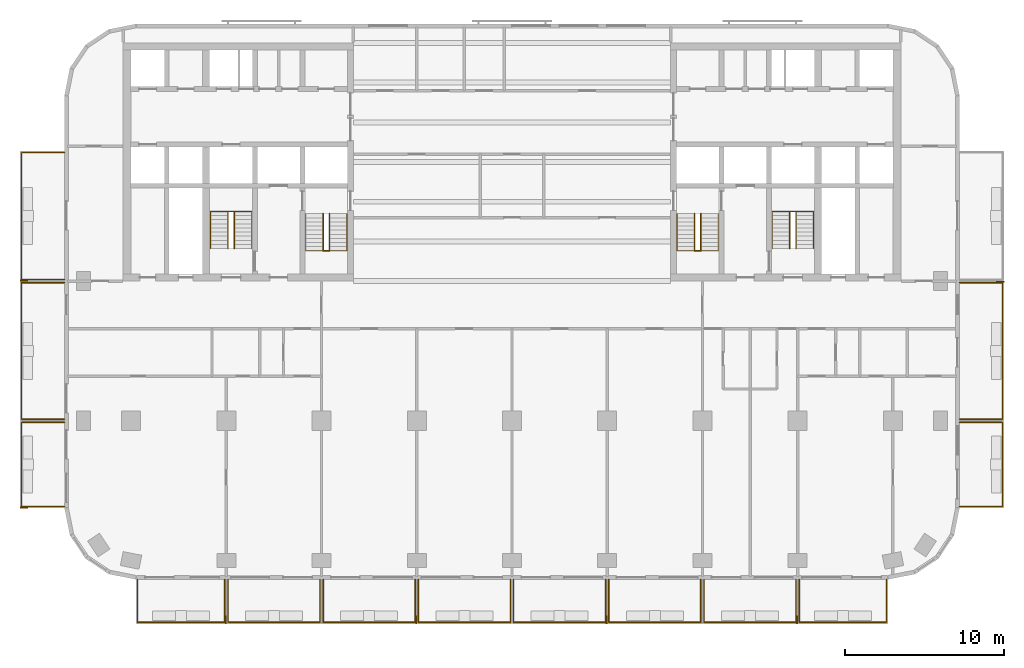
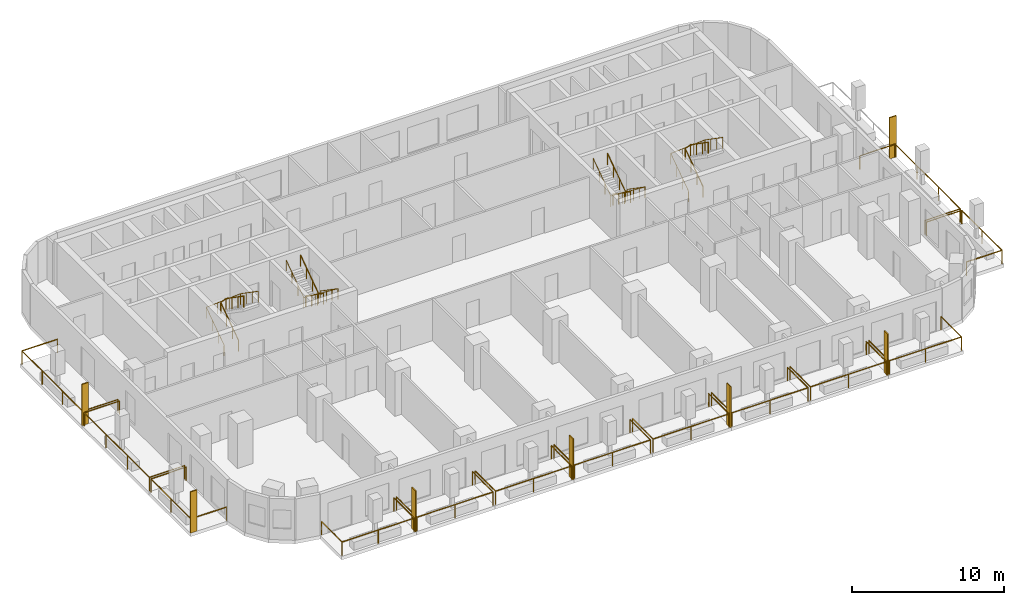
# One storey, part 9 of 11: 21 railings, 7 shading devices.
"""IFC4 building model written with IfcOpenShell, lengths in metres."""

from ifc_helpers import new_model, si_unit, direction, frame, origin, origin_2d, place, context, subcontext, project, spatial, rectangle, circle, extrude, material, layer, layer_set, type_object, element, save


model = new_model("IFC4")

# Units and contexts
model_context = context("Model", 3, precision=1e-05, world=origin(), true_north=direction((0.0, 1.0)))
body_context = subcontext(model_context, "Body", "Model", "MODEL_VIEW")
ifc_project = project(units=[si_unit("LENGTHUNIT", "METRE"), si_unit("AREAUNIT", "SQUARE_METRE"), si_unit("VOLUMEUNIT", "CUBIC_METRE"), si_unit("PLANEANGLEUNIT", "RADIAN"), si_unit("MASSUNIT", "GRAM", prefix="KILO")], contexts=[model_context])

# Site, building, storey
site_placement = place(None, origin())
site = spatial("IfcSite", under=ifc_project, at=site_placement, CompositionType="ELEMENT")
building_placement = place(site_placement, origin())
building = spatial("IfcBuilding", under=site, at=building_placement, Name="Torana Hotel and Residences", CompositionType="ELEMENT")
storey_placement = place(building_placement, frame((0.0, 0.0, 163.199951171875)))
storey = spatial("IfcBuildingStorey", under=building, at=storey_placement, Name="L42", CompositionType="ELEMENT", Elevation=163.199951171875)

# Shading devices
ifc_material_1 = material(Name="Black powder coated aluminium", Category="aluminium")
ifc_layer = layer(ifc_material_1, 0.080078125)
ifc_layer_set = layer_set([ifc_layer], Name="FN1 VERTICAL FIN 500x80")
shading_device_type = type_object("IfcShadingDeviceType", Name="FN1 VERTICAL FIN 500x80", PredefinedType="USERDEFINED", material=ifc_layer_set)
for number, where, z_axis, x_axis, name in (
    (1, (-18.0400390625, -36.35009765625, 0.0), (0.0, 0.0, 1.0), (-1.0, 0.0, 0.0), "Fin 01"),
    (2, (-6.0400390625, -36.35009765625, 0.0), (0.0, 0.0, 1.0), (-1.0, 0.0, 0.0), "Fin 03"),
    (3, (5.9599609375, -36.35009765625, 0.0), (0.0, 0.0, 1.0), (-1.0, 0.0, 0.0), "Fin 05"),
    (4, (17.9599609375, -36.35009765625, 0.0), (0.0, 0.0, 1.0), (-1.0, 0.0, 0.0), "Fin 07"),
    (5, (-30.75, -29.260009765625, 0.0), (0.0, 0.0, 1.0), (0.0, 1.0, 0.0), "Fin 09"),
    (6, (-30.75, -14.9599609375, 0.0), (0.0, 0.0, 1.0), (0.0, 1.0, 0.0), "Fin 11"),
    (7, (30.75, -15.0400390625, 0.0), (0.0, 0.0, 1.0), (0.0, -1.0, 0.0), "Fin 13"),
):
    element("IfcShadingDevice", number, at=place(storey_placement, frame(where, z_axis=z_axis, x_axis=x_axis)), inside=storey, type_object=shading_device_type, Name=name, ObjectType="FIN", PredefinedType="USERDEFINED", context=body_context, shape_type="SweptSolid", body=[
        extrude(rectangle(XDim=0.080078125, YDim=0.5, at=origin_2d()), origin(), (0.0, 0.0, 1.0), 3.320068359375),
    ])

# Railings
ifc_material_2 = material(Name="Laminated glass balustrade with black handrail", Category="glass")
railing_type_1 = type_object("IfcRailingType", Name="GR1 BALCONY GUARD 1100 GLASS", PredefinedType="GUARDRAIL", material=ifc_material_2)
railing_1_placement = place(storey_placement, frame((-18.10009765625, -33.800048828125, 0.0)))
element("IfcRailing", 8, at=railing_1_placement, inside=storey, type_object=railing_type_1, Name="Balcony guard 01", PredefinedType="GUARDRAIL", context=body_context, shape_type="SweptSolid", body=[
    extrude(circle(Radius=0.02392578125, at=origin_2d()), frame((0.0, 0.0, 1.076171875), z_axis=(0.0, -1.0, 0.0), x_axis=(1.0, 0.0, 0.0)), (0.0, 0.0, 1.0), 2.699951171875),
    extrude(circle(Radius=0.02392578125, at=origin_2d()), frame((0.0, -2.699951171875, 1.076171875), z_axis=(-1.0, 0.0, 0.0), x_axis=(0.0, -1.0, 0.0)), (0.0, 0.0, 1.0), 5.5),
    extrude(circle(Radius=0.02392578125, at=origin_2d()), frame((-5.5, -2.699951171875, 1.076171875), z_axis=(0.0, 1.0, 0.0), x_axis=(-1.0, 0.0, 0.0)), (0.0, 0.0, 1.0), 2.699951171875),
    extrude(circle(Radius=0.02099609375, at=origin_2d()), origin(), (0.0, 0.0, 1.0), 1.052001953125),
    extrude(circle(Radius=0.02099609375, at=origin_2d()), frame((0.0, -2.699951171875, 0.0)), (0.0, 0.0, 1.0), 1.052001953125),
    extrude(circle(Radius=0.02099609375, at=origin_2d()), frame((-2.75, -2.699951171875, 0.0)), (0.0, 0.0, 1.0), 1.052001953125),
    extrude(circle(Radius=0.02099609375, at=origin_2d()), frame((-5.5, -2.699951171875, 0.0)), (0.0, 0.0, 1.0), 1.052001953125),
    extrude(circle(Radius=0.02099609375, at=origin_2d()), frame((-5.5, 0.0, 0.0)), (0.0, 0.0, 1.0), 1.052001953125),
])
for number, where, name in (
    (9, (-12.10009765625, -33.800048828125, 0.0), "Balcony guard 02"),
    (10, (-6.10009765625, -33.800048828125, 0.0), "Balcony guard 03"),
    (11, (-0.10009765625, -33.800048828125, 0.0), "Balcony guard 04"),
    (12, (5.89990234375, -33.800048828125, 0.0), "Balcony guard 05"),
    (13, (11.89990234375, -33.800048828125, 0.0), "Balcony guard 06"),
    (14, (17.89990234375, -33.800048828125, 0.0), "Balcony guard 07"),
):
    element("IfcRailing", number, at=place(storey_placement, frame(where)), inside=storey, type_object=railing_type_1, Name=name, PredefinedType="GUARDRAIL", context=body_context, shape_type="SweptSolid", body=[
        extrude(circle(Radius=0.02392578125, at=origin_2d()), frame((0.0, 0.0, 1.076171875), z_axis=(0.0, -1.0, 0.0), x_axis=(1.0, 0.0, 0.0)), (0.0, 0.0, 1.0), 2.699951171875),
        extrude(circle(Radius=0.02392578125, at=origin_2d()), frame((0.0, -2.699951171875, 1.076171875), z_axis=(-1.0, 0.0, 0.0), x_axis=(0.0, -1.0, 0.0)), (0.0, 0.0, 1.0), 5.7998046875),
        extrude(circle(Radius=0.02392578125, at=origin_2d()), frame((-5.7998046875, -2.699951171875, 1.076171875), z_axis=(0.0, 1.0, 0.0), x_axis=(-1.0, 0.0, 0.0)), (0.0, 0.0, 1.0), 2.699951171875),
        extrude(circle(Radius=0.02099609375, at=origin_2d()), origin(), (0.0, 0.0, 1.0), 1.052001953125),
        extrude(circle(Radius=0.02099609375, at=origin_2d()), frame((0.0, -2.699951171875, 0.0)), (0.0, 0.0, 1.0), 1.052001953125),
        extrude(circle(Radius=0.02099609375, at=origin_2d()), frame((-2.89990234375, -2.699951171875, 0.0)), (0.0, 0.0, 1.0), 1.052001953125),
        extrude(circle(Radius=0.02099609375, at=origin_2d()), frame((-5.7998046875, -2.699951171875, 0.0)), (0.0, 0.0, 1.0), 1.052001953125),
        extrude(circle(Radius=0.02099609375, at=origin_2d()), frame((-5.7998046875, 0.0, 0.0)), (0.0, 0.0, 1.0), 1.052001953125),
    ])
railing_2_placement = place(storey_placement, frame((23.60009765625, -33.800048828125, 0.0)))
element("IfcRailing", 15, at=railing_2_placement, inside=storey, type_object=railing_type_1, Name="Balcony guard 08", PredefinedType="GUARDRAIL", context=body_context, shape_type="SweptSolid", body=[
    extrude(circle(Radius=0.02392578125, at=origin_2d()), frame((0.0, 0.0, 1.076171875), z_axis=(0.0, -1.0, 0.0), x_axis=(1.0, 0.0, 0.0)), (0.0, 0.0, 1.0), 2.699951171875),
    extrude(circle(Radius=0.02392578125, at=origin_2d()), frame((0.0, -2.699951171875, 1.076171875), z_axis=(-1.0, 0.0, 0.0), x_axis=(0.0, -1.0, 0.0)), (0.0, 0.0, 1.0), 5.5),
    extrude(circle(Radius=0.02392578125, at=origin_2d()), frame((-5.5, -2.699951171875, 1.076171875), z_axis=(0.0, 1.0, 0.0), x_axis=(-1.0, 0.0, 0.0)), (0.0, 0.0, 1.0), 2.699951171875),
    extrude(circle(Radius=0.02099609375, at=origin_2d()), origin(), (0.0, 0.0, 1.0), 1.052001953125),
    extrude(circle(Radius=0.02099609375, at=origin_2d()), frame((0.0, -2.699951171875, 0.0)), (0.0, 0.0, 1.0), 1.052001953125),
    extrude(circle(Radius=0.02099609375, at=origin_2d()), frame((-2.75, -2.699951171875, 0.0)), (0.0, 0.0, 1.0), 1.052001953125),
    extrude(circle(Radius=0.02099609375, at=origin_2d()), frame((-5.5, -2.699951171875, 0.0)), (0.0, 0.0, 1.0), 1.052001953125),
    extrude(circle(Radius=0.02099609375, at=origin_2d()), frame((-5.5, 0.0, 0.0)), (0.0, 0.0, 1.0), 1.052001953125),
])
railing_3_placement = place(storey_placement, frame((-28.199951171875, -29.199951171875, 0.0)))
element("IfcRailing", 16, at=railing_3_placement, inside=storey, type_object=railing_type_1, Name="Balcony guard 09", PredefinedType="GUARDRAIL", context=body_context, shape_type="SweptSolid", body=[
    extrude(circle(Radius=0.02392578125, at=origin_2d()), frame((0.0, 0.0, 1.076171875), z_axis=(-1.0, 0.0, 0.0), x_axis=(0.0, -1.0, 0.0)), (0.0, 0.0, 1.0), 2.699951171875),
    extrude(circle(Radius=0.02392578125, at=origin_2d()), frame((-2.699951171875, 0.0, 1.076171875), z_axis=(0.0, 1.0, 0.0), x_axis=(-1.0, 0.0, 0.0)), (0.0, 0.0, 1.0), 5.300048828125),
    extrude(circle(Radius=0.02392578125, at=origin_2d()), frame((-2.699951171875, 5.300048828125, 1.076171875), z_axis=(1.0, 0.0, 0.0), x_axis=(0.0, 1.0, 0.0)), (0.0, 0.0, 1.0), 2.699951171875),
    extrude(circle(Radius=0.02099609375, at=origin_2d()), origin(), (0.0, 0.0, 1.0), 1.052001953125),
    extrude(circle(Radius=0.02099609375, at=origin_2d()), frame((-2.699951171875, 0.0, 0.0)), (0.0, 0.0, 1.0), 1.052001953125),
    extrude(circle(Radius=0.02099609375, at=origin_2d()), frame((-2.699951171875, 2.64990234375, 0.0)), (0.0, 0.0, 1.0), 1.052001953125),
    extrude(circle(Radius=0.02099609375, at=origin_2d()), frame((-2.699951171875, 5.300048828125, 0.0)), (0.0, 0.0, 1.0), 1.052001953125),
    extrude(circle(Radius=0.02099609375, at=origin_2d()), frame((0.0, 5.300048828125, 0.0)), (0.0, 0.0, 1.0), 1.052001953125),
])
railing_4_placement = place(storey_placement, frame((-28.199951171875, -23.699951171875, 0.0)))
element("IfcRailing", 17, at=railing_4_placement, inside=storey, type_object=railing_type_1, Name="Balcony guard 10", PredefinedType="GUARDRAIL", context=body_context, shape_type="SweptSolid", body=[
    extrude(circle(Radius=0.02392578125, at=origin_2d()), frame((0.0, 0.0, 1.076171875), z_axis=(-1.0, 0.0, 0.0), x_axis=(0.0, -1.0, 0.0)), (0.0, 0.0, 1.0), 2.699951171875),
    extrude(circle(Radius=0.02392578125, at=origin_2d()), frame((-2.699951171875, 0.0, 1.076171875), z_axis=(0.0, 1.0, 0.0), x_axis=(-1.0, 0.0, 0.0)), (0.0, 0.0, 1.0), 8.599853515625),
    extrude(circle(Radius=0.02392578125, at=origin_2d()), frame((-2.699951171875, 8.599853515625, 1.076171875), z_axis=(1.0, 0.0, 0.0), x_axis=(0.0, 1.0, 0.0)), (0.0, 0.0, 1.0), 2.699951171875),
    extrude(circle(Radius=0.02099609375, at=origin_2d()), origin(), (0.0, 0.0, 1.0), 1.052001953125),
    extrude(circle(Radius=0.02099609375, at=origin_2d()), frame((-2.699951171875, 0.0, 0.0)), (0.0, 0.0, 1.0), 1.052001953125),
    extrude(circle(Radius=0.02099609375, at=origin_2d()), frame((-2.699951171875, 2.86669921875, 0.0)), (0.0, 0.0, 1.0), 1.052001953125),
    extrude(circle(Radius=0.02099609375, at=origin_2d()), frame((-2.699951171875, 5.733154296875, 0.0)), (0.0, 0.0, 1.0), 1.052001953125),
    extrude(circle(Radius=0.02099609375, at=origin_2d()), frame((-2.699951171875, 8.599853515625, 0.0)), (0.0, 0.0, 1.0), 1.052001953125),
    extrude(circle(Radius=0.02099609375, at=origin_2d()), frame((0.0, 8.599853515625, 0.0)), (0.0, 0.0, 1.0), 1.052001953125),
])
railing_5_placement = place(storey_placement, frame((-28.199951171875, -14.89990234375, 0.0)))
element("IfcRailing", 18, at=railing_5_placement, inside=storey, type_object=railing_type_1, Name="Balcony guard 11", PredefinedType="GUARDRAIL", context=body_context, shape_type="SweptSolid", body=[
    extrude(circle(Radius=0.02392578125, at=origin_2d()), frame((0.0, 0.0, 1.076171875), z_axis=(-1.0, 0.0, 0.0), x_axis=(0.0, -1.0, 0.0)), (0.0, 0.0, 1.0), 2.699951171875),
    extrude(circle(Radius=0.02392578125, at=origin_2d()), frame((-2.699951171875, 0.0, 1.076171875), z_axis=(0.0, 1.0, 0.0), x_axis=(-1.0, 0.0, 0.0)), (0.0, 0.0, 1.0), 8.0),
    extrude(circle(Radius=0.02392578125, at=origin_2d()), frame((-2.699951171875, 8.0, 1.076171875), z_axis=(1.0, 0.0, 0.0), x_axis=(0.0, 1.0, 0.0)), (0.0, 0.0, 1.0), 2.699951171875),
    extrude(circle(Radius=0.02099609375, at=origin_2d()), origin(), (0.0, 0.0, 1.0), 1.052001953125),
    extrude(circle(Radius=0.02099609375, at=origin_2d()), frame((-2.699951171875, 0.0, 0.0)), (0.0, 0.0, 1.0), 1.052001953125),
    extrude(circle(Radius=0.02099609375, at=origin_2d()), frame((-2.699951171875, 2.666748046875, 0.0)), (0.0, 0.0, 1.0), 1.052001953125),
    extrude(circle(Radius=0.02099609375, at=origin_2d()), frame((-2.699951171875, 5.333251953125, 0.0)), (0.0, 0.0, 1.0), 1.052001953125),
    extrude(circle(Radius=0.02099609375, at=origin_2d()), frame((-2.699951171875, 8.0, 0.0)), (0.0, 0.0, 1.0), 1.052001953125),
    extrude(circle(Radius=0.02099609375, at=origin_2d()), frame((0.0, 8.0, 0.0)), (0.0, 0.0, 1.0), 1.052001953125),
])
railing_6_placement = place(storey_placement, frame((28.199951171875, -23.89990234375, 0.0)))
element("IfcRailing", 19, at=railing_6_placement, inside=storey, type_object=railing_type_1, Name="Balcony guard 12", PredefinedType="GUARDRAIL", context=body_context, shape_type="SweptSolid", body=[
    extrude(circle(Radius=0.02392578125, at=origin_2d()), frame((0.0, 0.0, 1.076171875), z_axis=(1.0, 0.0, 0.0), x_axis=(0.0, 1.0, 0.0)), (0.0, 0.0, 1.0), 2.699951171875),
    extrude(circle(Radius=0.02392578125, at=origin_2d()), frame((2.699951171875, 0.0, 1.076171875), z_axis=(0.0, -1.0, 0.0), x_axis=(1.0, 0.0, 0.0)), (0.0, 0.0, 1.0), 5.300048828125),
    extrude(circle(Radius=0.02392578125, at=origin_2d()), frame((2.699951171875, -5.300048828125, 1.076171875), z_axis=(-1.0, 0.0, 0.0), x_axis=(0.0, -1.0, 0.0)), (0.0, 0.0, 1.0), 2.699951171875),
    extrude(circle(Radius=0.02099609375, at=origin_2d()), origin(), (0.0, 0.0, 1.0), 1.052001953125),
    extrude(circle(Radius=0.02099609375, at=origin_2d()), frame((2.699951171875, 0.0, 0.0)), (0.0, 0.0, 1.0), 1.052001953125),
    extrude(circle(Radius=0.02099609375, at=origin_2d()), frame((2.699951171875, -2.64990234375, 0.0)), (0.0, 0.0, 1.0), 1.052001953125),
    extrude(circle(Radius=0.02099609375, at=origin_2d()), frame((2.699951171875, -5.300048828125, 0.0)), (0.0, 0.0, 1.0), 1.052001953125),
    extrude(circle(Radius=0.02099609375, at=origin_2d()), frame((0.0, -5.300048828125, 0.0)), (0.0, 0.0, 1.0), 1.052001953125),
])
railing_7_placement = place(storey_placement, frame((28.199951171875, -15.10009765625, 0.0)))
element("IfcRailing", 20, at=railing_7_placement, inside=storey, type_object=railing_type_1, Name="Balcony guard 13", PredefinedType="GUARDRAIL", context=body_context, shape_type="SweptSolid", body=[
    extrude(circle(Radius=0.02392578125, at=origin_2d()), frame((0.0, 0.0, 1.076171875), z_axis=(1.0, 0.0, 0.0), x_axis=(0.0, 1.0, 0.0)), (0.0, 0.0, 1.0), 2.699951171875),
    extrude(circle(Radius=0.02392578125, at=origin_2d()), frame((2.699951171875, 0.0, 1.076171875), z_axis=(0.0, -1.0, 0.0), x_axis=(1.0, 0.0, 0.0)), (0.0, 0.0, 1.0), 8.599853515625),
    extrude(circle(Radius=0.02392578125, at=origin_2d()), frame((2.699951171875, -8.599853515625, 1.076171875), z_axis=(-1.0, 0.0, 0.0), x_axis=(0.0, -1.0, 0.0)), (0.0, 0.0, 1.0), 2.699951171875),
    extrude(circle(Radius=0.02099609375, at=origin_2d()), origin(), (0.0, 0.0, 1.0), 1.052001953125),
    extrude(circle(Radius=0.02099609375, at=origin_2d()), frame((2.699951171875, 0.0, 0.0)), (0.0, 0.0, 1.0), 1.052001953125),
    extrude(circle(Radius=0.02099609375, at=origin_2d()), frame((2.699951171875, -2.86669921875, 0.0)), (0.0, 0.0, 1.0), 1.052001953125),
    extrude(circle(Radius=0.02099609375, at=origin_2d()), frame((2.699951171875, -5.733154296875, 0.0)), (0.0, 0.0, 1.0), 1.052001953125),
    extrude(circle(Radius=0.02099609375, at=origin_2d()), frame((2.699951171875, -8.599853515625, 0.0)), (0.0, 0.0, 1.0), 1.052001953125),
    extrude(circle(Radius=0.02099609375, at=origin_2d()), frame((0.0, -8.599853515625, 0.0)), (0.0, 0.0, 1.0), 1.052001953125),
])
ifc_material_3 = material(Name="Stainless steel 316", Category="steel")
railing_type_2 = type_object("IfcRailingType", Name="STAIR HANDRAIL HR1 900", PredefinedType="HANDRAIL", material=ifc_material_3)
railing_8_placement = place(storey_placement, frame((-10.39990234375, -10.75, 0.179931640625)))
element("IfcRailing", 21, at=railing_8_placement, inside=storey, type_object=railing_type_2, Name="Handrail ST1 L42 O1", PredefinedType="HANDRAIL", context=body_context, shape_type="SweptSolid", body=[
    extrude(circle(Radius=0.02392578125, at=origin_2d()), frame((0.0, 0.0, 0.8759765625), z_axis=(0.0, -0.822182927502, 0.569223360136), x_axis=(1.0, 0.0, 0.0)), (0.0, 0.0, 1.0), 2.84619140625),
    extrude(circle(Radius=0.02392578125, at=origin_2d()), frame((0.0, -2.340087890625, 2.49609375), z_axis=(-0.997614115953, 0.0, 0.069036770278), x_axis=(0.0, -1.0, 0.0)), (0.0, 0.0, 1.0), 2.606201171875),
    extrude(circle(Radius=0.02392578125, at=origin_2d()), frame((-2.60009765625, -2.340087890625, 2.67578125), z_axis=(0.0, 0.822182927502, 0.569223360136), x_axis=(-1.0, 0.0, 0.0)), (0.0, 0.0, 1.0), 2.84619140625),
    extrude(circle(Radius=0.02099609375, at=origin_2d()), origin(), (0.0, 0.0, 1.0), 0.851806640625),
    extrude(circle(Radius=0.02099609375, at=origin_2d()), frame((0.0, -0.780029296875, 0.5400390625)), (0.0, 0.0, 1.0), 0.851806640625),
    extrude(circle(Radius=0.02099609375, at=origin_2d()), frame((0.0, -1.56005859375, 1.080078125)), (0.0, 0.0, 1.0), 0.851806640625),
    extrude(circle(Radius=0.02099609375, at=origin_2d()), frame((0.0, -2.340087890625, 1.6201171875)), (0.0, 0.0, 1.0), 0.851806640625),
    extrude(circle(Radius=0.02099609375, at=origin_2d()), frame((-0.86669921875, -2.340087890625, 1.68017578125)), (0.0, 0.0, 1.0), 0.851806640625),
    extrude(circle(Radius=0.02099609375, at=origin_2d()), frame((-1.7333984375, -2.340087890625, 1.739990234375)), (0.0, 0.0, 1.0), 0.851806640625),
    extrude(circle(Radius=0.02099609375, at=origin_2d()), frame((-2.60009765625, -2.340087890625, 1.800048828125)), (0.0, 0.0, 1.0), 0.851806640625),
    extrude(circle(Radius=0.02099609375, at=origin_2d()), frame((-2.60009765625, -1.56005859375, 2.340087890625)), (0.0, 0.0, 1.0), 0.851806640625),
    extrude(circle(Radius=0.02099609375, at=origin_2d()), frame((-2.60009765625, -0.780029296875, 2.880126953125)), (0.0, 0.0, 1.0), 0.851806640625),
    extrude(circle(Radius=0.02099609375, at=origin_2d()), frame((-2.60009765625, 0.0, 3.420166015625)), (0.0, 0.0, 1.0), 0.851806640625),
])
railing_9_placement = place(storey_placement, frame((-11.5, -10.75, 0.179931640625)))
element("IfcRailing", 22, at=railing_9_placement, inside=storey, type_object=railing_type_2, Name="Handrail ST1 L42 I1", PredefinedType="HANDRAIL", context=body_context, shape_type="SweptSolid", body=[
    extrude(circle(Radius=0.02392578125, at=origin_2d()), frame((0.0, 0.0, 0.8759765625), z_axis=(0.0, -0.822182927502, 0.569223360136), x_axis=(1.0, 0.0, 0.0)), (0.0, 0.0, 1.0), 2.84619140625),
    extrude(circle(Radius=0.02392578125, at=origin_2d()), frame((0.0, -2.340087890625, 2.49609375), z_axis=(-0.911942338396, 0.0, 0.410318378143), x_axis=(0.0, -1.0, 0.0)), (0.0, 0.0, 1.0), 0.4384765625),
    extrude(circle(Radius=0.02392578125, at=origin_2d()), frame((-0.39990234375, -2.340087890625, 2.67578125), z_axis=(0.0, 0.822182927502, 0.569223360136), x_axis=(-1.0, 0.0, 0.0)), (0.0, 0.0, 1.0), 2.84619140625),
    extrude(circle(Radius=0.02099609375, at=origin_2d()), origin(), (0.0, 0.0, 1.0), 0.851806640625),
    extrude(circle(Radius=0.02099609375, at=origin_2d()), frame((0.0, -0.780029296875, 0.5400390625)), (0.0, 0.0, 1.0), 0.851806640625),
    extrude(circle(Radius=0.02099609375, at=origin_2d()), frame((0.0, -1.56005859375, 1.080078125)), (0.0, 0.0, 1.0), 0.851806640625),
    extrude(circle(Radius=0.02099609375, at=origin_2d()), frame((0.0, -2.340087890625, 1.6201171875)), (0.0, 0.0, 1.0), 0.851806640625),
    extrude(circle(Radius=0.02099609375, at=origin_2d()), frame((-0.39990234375, -2.340087890625, 1.800048828125)), (0.0, 0.0, 1.0), 0.851806640625),
    extrude(circle(Radius=0.02099609375, at=origin_2d()), frame((-0.39990234375, -1.56005859375, 2.340087890625)), (0.0, 0.0, 1.0), 0.851806640625),
    extrude(circle(Radius=0.02099609375, at=origin_2d()), frame((-0.39990234375, -0.780029296875, 2.880126953125)), (0.0, 0.0, 1.0), 0.851806640625),
    extrude(circle(Radius=0.02099609375, at=origin_2d()), frame((-0.39990234375, 0.0, 3.420166015625)), (0.0, 0.0, 1.0), 0.851806640625),
])
railing_10_placement = place(storey_placement, frame((-19.0, -12.949951171875, 0.179931640625)))
element("IfcRailing", 23, at=railing_10_placement, inside=storey, type_object=railing_type_2, Name="Handrail ST2 L42 O1", PredefinedType="HANDRAIL", context=body_context, shape_type="SweptSolid", body=[
    extrude(circle(Radius=0.02392578125, at=origin_2d()), frame((0.0, 0.0, 0.8759765625), z_axis=(0.0, 0.822155131156, 0.569263506923), x_axis=(-1.0, 0.0, 0.0)), (0.0, 0.0, 1.0), 2.845947265625),
    extrude(circle(Radius=0.02392578125, at=origin_2d()), frame((0.0, 2.33984375, 2.49609375), z_axis=(0.997614115953, 0.0, 0.069036770278), x_axis=(0.0, 1.0, 0.0)), (0.0, 0.0, 1.0), 2.606201171875),
    extrude(circle(Radius=0.02392578125, at=origin_2d()), frame((2.60009765625, 2.33984375, 2.67578125), z_axis=(0.0, -0.822155131156, 0.569263506923), x_axis=(1.0, 0.0, 0.0)), (0.0, 0.0, 1.0), 2.845947265625),
    extrude(circle(Radius=0.02099609375, at=origin_2d()), origin(), (0.0, 0.0, 1.0), 0.851806640625),
    extrude(circle(Radius=0.02099609375, at=origin_2d()), frame((0.0, 0.780029296875, 0.5400390625)), (0.0, 0.0, 1.0), 0.851806640625),
    extrude(circle(Radius=0.02099609375, at=origin_2d()), frame((0.0, 1.559814453125, 1.080078125)), (0.0, 0.0, 1.0), 0.851806640625),
    extrude(circle(Radius=0.02099609375, at=origin_2d()), frame((0.0, 2.33984375, 1.6201171875)), (0.0, 0.0, 1.0), 0.851806640625),
    extrude(circle(Radius=0.02099609375, at=origin_2d()), frame((0.86669921875, 2.33984375, 1.68017578125)), (0.0, 0.0, 1.0), 0.851806640625),
    extrude(circle(Radius=0.02099609375, at=origin_2d()), frame((1.7333984375, 2.33984375, 1.739990234375)), (0.0, 0.0, 1.0), 0.851806640625),
    extrude(circle(Radius=0.02099609375, at=origin_2d()), frame((2.60009765625, 2.33984375, 1.800048828125)), (0.0, 0.0, 1.0), 0.851806640625),
    extrude(circle(Radius=0.02099609375, at=origin_2d()), frame((2.60009765625, 1.559814453125, 2.340087890625)), (0.0, 0.0, 1.0), 0.851806640625),
    extrude(circle(Radius=0.02099609375, at=origin_2d()), frame((2.60009765625, 0.780029296875, 2.880126953125)), (0.0, 0.0, 1.0), 0.851806640625),
    extrude(circle(Radius=0.02099609375, at=origin_2d()), frame((2.60009765625, 0.0, 3.420166015625)), (0.0, 0.0, 1.0), 0.851806640625),
])
railing_11_placement = place(storey_placement, frame((-17.89990234375, -12.949951171875, 0.179931640625)))
element("IfcRailing", 24, at=railing_11_placement, inside=storey, type_object=railing_type_2, Name="Handrail ST2 L42 I1", PredefinedType="HANDRAIL", context=body_context, shape_type="SweptSolid", body=[
    extrude(circle(Radius=0.02392578125, at=origin_2d()), frame((0.0, 0.0, 0.8759765625), z_axis=(0.0, 0.822155131156, 0.569263506923), x_axis=(-1.0, 0.0, 0.0)), (0.0, 0.0, 1.0), 2.845947265625),
    extrude(circle(Radius=0.02392578125, at=origin_2d()), frame((0.0, 2.33984375, 2.49609375), z_axis=(0.911942338396, 0.0, 0.410318378143), x_axis=(0.0, 1.0, 0.0)), (0.0, 0.0, 1.0), 0.4384765625),
    extrude(circle(Radius=0.02392578125, at=origin_2d()), frame((0.39990234375, 2.33984375, 2.67578125), z_axis=(0.0, -0.822155131156, 0.569263506923), x_axis=(1.0, 0.0, 0.0)), (0.0, 0.0, 1.0), 2.845947265625),
    extrude(circle(Radius=0.02099609375, at=origin_2d()), origin(), (0.0, 0.0, 1.0), 0.851806640625),
    extrude(circle(Radius=0.02099609375, at=origin_2d()), frame((0.0, 0.780029296875, 0.5400390625)), (0.0, 0.0, 1.0), 0.851806640625),
    extrude(circle(Radius=0.02099609375, at=origin_2d()), frame((0.0, 1.559814453125, 1.080078125)), (0.0, 0.0, 1.0), 0.851806640625),
    extrude(circle(Radius=0.02099609375, at=origin_2d()), frame((0.0, 2.33984375, 1.6201171875)), (0.0, 0.0, 1.0), 0.851806640625),
    extrude(circle(Radius=0.02099609375, at=origin_2d()), frame((0.39990234375, 2.33984375, 1.800048828125)), (0.0, 0.0, 1.0), 0.851806640625),
    extrude(circle(Radius=0.02099609375, at=origin_2d()), frame((0.39990234375, 1.559814453125, 2.340087890625)), (0.0, 0.0, 1.0), 0.851806640625),
    extrude(circle(Radius=0.02099609375, at=origin_2d()), frame((0.39990234375, 0.780029296875, 2.880126953125)), (0.0, 0.0, 1.0), 0.851806640625),
    extrude(circle(Radius=0.02099609375, at=origin_2d()), frame((0.39990234375, 0.0, 3.420166015625)), (0.0, 0.0, 1.0), 0.851806640625),
])
railing_12_placement = place(storey_placement, frame((13.0, -10.75, 0.179931640625)))
element("IfcRailing", 25, at=railing_12_placement, inside=storey, type_object=railing_type_2, Name="Handrail ST3 L42 O1", PredefinedType="HANDRAIL", context=body_context, shape_type="SweptSolid", body=[
    extrude(circle(Radius=0.02392578125, at=origin_2d()), frame((0.0, 0.0, 0.8759765625), z_axis=(0.0, -0.822182927502, 0.569223360136), x_axis=(1.0, 0.0, 0.0)), (0.0, 0.0, 1.0), 2.84619140625),
    extrude(circle(Radius=0.02392578125, at=origin_2d()), frame((0.0, -2.340087890625, 2.49609375), z_axis=(-0.997614115953, 0.0, 0.069036770278), x_axis=(0.0, -1.0, 0.0)), (0.0, 0.0, 1.0), 2.606201171875),
    extrude(circle(Radius=0.02392578125, at=origin_2d()), frame((-2.60009765625, -2.340087890625, 2.67578125), z_axis=(0.0, 0.822182927502, 0.569223360136), x_axis=(-1.0, 0.0, 0.0)), (0.0, 0.0, 1.0), 2.84619140625),
    extrude(circle(Radius=0.02099609375, at=origin_2d()), origin(), (0.0, 0.0, 1.0), 0.851806640625),
    extrude(circle(Radius=0.02099609375, at=origin_2d()), frame((0.0, -0.780029296875, 0.5400390625)), (0.0, 0.0, 1.0), 0.851806640625),
    extrude(circle(Radius=0.02099609375, at=origin_2d()), frame((0.0, -1.56005859375, 1.080078125)), (0.0, 0.0, 1.0), 0.851806640625),
    extrude(circle(Radius=0.02099609375, at=origin_2d()), frame((0.0, -2.340087890625, 1.6201171875)), (0.0, 0.0, 1.0), 0.851806640625),
    extrude(circle(Radius=0.02099609375, at=origin_2d()), frame((-0.86669921875, -2.340087890625, 1.68017578125)), (0.0, 0.0, 1.0), 0.851806640625),
    extrude(circle(Radius=0.02099609375, at=origin_2d()), frame((-1.7333984375, -2.340087890625, 1.739990234375)), (0.0, 0.0, 1.0), 0.851806640625),
    extrude(circle(Radius=0.02099609375, at=origin_2d()), frame((-2.60009765625, -2.340087890625, 1.800048828125)), (0.0, 0.0, 1.0), 0.851806640625),
    extrude(circle(Radius=0.02099609375, at=origin_2d()), frame((-2.60009765625, -1.56005859375, 2.340087890625)), (0.0, 0.0, 1.0), 0.851806640625),
    extrude(circle(Radius=0.02099609375, at=origin_2d()), frame((-2.60009765625, -0.780029296875, 2.880126953125)), (0.0, 0.0, 1.0), 0.851806640625),
    extrude(circle(Radius=0.02099609375, at=origin_2d()), frame((-2.60009765625, 0.0, 3.420166015625)), (0.0, 0.0, 1.0), 0.851806640625),
])
railing_13_placement = place(storey_placement, frame((11.89990234375, -10.75, 0.179931640625)))
element("IfcRailing", 26, at=railing_13_placement, inside=storey, type_object=railing_type_2, Name="Handrail ST3 L42 I1", PredefinedType="HANDRAIL", context=body_context, shape_type="SweptSolid", body=[
    extrude(circle(Radius=0.02392578125, at=origin_2d()), frame((0.0, 0.0, 0.8759765625), z_axis=(0.0, -0.822182927502, 0.569223360136), x_axis=(1.0, 0.0, 0.0)), (0.0, 0.0, 1.0), 2.84619140625),
    extrude(circle(Radius=0.02392578125, at=origin_2d()), frame((0.0, -2.340087890625, 2.49609375), z_axis=(-0.911942338396, 0.0, 0.410318378143), x_axis=(0.0, -1.0, 0.0)), (0.0, 0.0, 1.0), 0.4384765625),
    extrude(circle(Radius=0.02392578125, at=origin_2d()), frame((-0.39990234375, -2.340087890625, 2.67578125), z_axis=(0.0, 0.822182927502, 0.569223360136), x_axis=(-1.0, 0.0, 0.0)), (0.0, 0.0, 1.0), 2.84619140625),
    extrude(circle(Radius=0.02099609375, at=origin_2d()), origin(), (0.0, 0.0, 1.0), 0.851806640625),
    extrude(circle(Radius=0.02099609375, at=origin_2d()), frame((0.0, -0.780029296875, 0.5400390625)), (0.0, 0.0, 1.0), 0.851806640625),
    extrude(circle(Radius=0.02099609375, at=origin_2d()), frame((0.0, -1.56005859375, 1.080078125)), (0.0, 0.0, 1.0), 0.851806640625),
    extrude(circle(Radius=0.02099609375, at=origin_2d()), frame((0.0, -2.340087890625, 1.6201171875)), (0.0, 0.0, 1.0), 0.851806640625),
    extrude(circle(Radius=0.02099609375, at=origin_2d()), frame((-0.39990234375, -2.340087890625, 1.800048828125)), (0.0, 0.0, 1.0), 0.851806640625),
    extrude(circle(Radius=0.02099609375, at=origin_2d()), frame((-0.39990234375, -1.56005859375, 2.340087890625)), (0.0, 0.0, 1.0), 0.851806640625),
    extrude(circle(Radius=0.02099609375, at=origin_2d()), frame((-0.39990234375, -0.780029296875, 2.880126953125)), (0.0, 0.0, 1.0), 0.851806640625),
    extrude(circle(Radius=0.02099609375, at=origin_2d()), frame((-0.39990234375, 0.0, 3.420166015625)), (0.0, 0.0, 1.0), 0.851806640625),
])
railing_14_placement = place(storey_placement, frame((16.39990234375, -12.949951171875, 0.179931640625)))
element("IfcRailing", 27, at=railing_14_placement, inside=storey, type_object=railing_type_2, Name="Handrail ST4 L42 O1", PredefinedType="HANDRAIL", context=body_context, shape_type="SweptSolid", body=[
    extrude(circle(Radius=0.02392578125, at=origin_2d()), frame((0.0, 0.0, 0.8759765625), z_axis=(0.0, 0.822155131156, 0.569263506923), x_axis=(-1.0, 0.0, 0.0)), (0.0, 0.0, 1.0), 2.845947265625),
    extrude(circle(Radius=0.02392578125, at=origin_2d()), frame((0.0, 2.33984375, 2.49609375), z_axis=(0.997614115953, 0.0, 0.069036770278), x_axis=(0.0, 1.0, 0.0)), (0.0, 0.0, 1.0), 2.606201171875),
    extrude(circle(Radius=0.02392578125, at=origin_2d()), frame((2.60009765625, 2.33984375, 2.67578125), z_axis=(0.0, -0.822155131156, 0.569263506923), x_axis=(1.0, 0.0, 0.0)), (0.0, 0.0, 1.0), 2.845947265625),
    extrude(circle(Radius=0.02099609375, at=origin_2d()), origin(), (0.0, 0.0, 1.0), 0.851806640625),
    extrude(circle(Radius=0.02099609375, at=origin_2d()), frame((0.0, 0.780029296875, 0.5400390625)), (0.0, 0.0, 1.0), 0.851806640625),
    extrude(circle(Radius=0.02099609375, at=origin_2d()), frame((0.0, 1.559814453125, 1.080078125)), (0.0, 0.0, 1.0), 0.851806640625),
    extrude(circle(Radius=0.02099609375, at=origin_2d()), frame((0.0, 2.33984375, 1.6201171875)), (0.0, 0.0, 1.0), 0.851806640625),
    extrude(circle(Radius=0.02099609375, at=origin_2d()), frame((0.86669921875, 2.33984375, 1.68017578125)), (0.0, 0.0, 1.0), 0.851806640625),
    extrude(circle(Radius=0.02099609375, at=origin_2d()), frame((1.7333984375, 2.33984375, 1.739990234375)), (0.0, 0.0, 1.0), 0.851806640625),
    extrude(circle(Radius=0.02099609375, at=origin_2d()), frame((2.60009765625, 2.33984375, 1.800048828125)), (0.0, 0.0, 1.0), 0.851806640625),
    extrude(circle(Radius=0.02099609375, at=origin_2d()), frame((2.60009765625, 1.559814453125, 2.340087890625)), (0.0, 0.0, 1.0), 0.851806640625),
    extrude(circle(Radius=0.02099609375, at=origin_2d()), frame((2.60009765625, 0.780029296875, 2.880126953125)), (0.0, 0.0, 1.0), 0.851806640625),
    extrude(circle(Radius=0.02099609375, at=origin_2d()), frame((2.60009765625, 0.0, 3.420166015625)), (0.0, 0.0, 1.0), 0.851806640625),
])
railing_15_placement = place(storey_placement, frame((17.5, -12.949951171875, 0.179931640625)))
element("IfcRailing", 28, at=railing_15_placement, inside=storey, type_object=railing_type_2, Name="Handrail ST4 L42 I1", PredefinedType="HANDRAIL", context=body_context, shape_type="SweptSolid", body=[
    extrude(circle(Radius=0.02392578125, at=origin_2d()), frame((0.0, 0.0, 0.8759765625), z_axis=(0.0, 0.822155131156, 0.569263506923), x_axis=(-1.0, 0.0, 0.0)), (0.0, 0.0, 1.0), 2.845947265625),
    extrude(circle(Radius=0.02392578125, at=origin_2d()), frame((0.0, 2.33984375, 2.49609375), z_axis=(0.911942338396, 0.0, 0.410318378143), x_axis=(0.0, 1.0, 0.0)), (0.0, 0.0, 1.0), 0.4384765625),
    extrude(circle(Radius=0.02392578125, at=origin_2d()), frame((0.39990234375, 2.33984375, 2.67578125), z_axis=(0.0, -0.822155131156, 0.569263506923), x_axis=(1.0, 0.0, 0.0)), (0.0, 0.0, 1.0), 2.845947265625),
    extrude(circle(Radius=0.02099609375, at=origin_2d()), origin(), (0.0, 0.0, 1.0), 0.851806640625),
    extrude(circle(Radius=0.02099609375, at=origin_2d()), frame((0.0, 0.780029296875, 0.5400390625)), (0.0, 0.0, 1.0), 0.851806640625),
    extrude(circle(Radius=0.02099609375, at=origin_2d()), frame((0.0, 1.559814453125, 1.080078125)), (0.0, 0.0, 1.0), 0.851806640625),
    extrude(circle(Radius=0.02099609375, at=origin_2d()), frame((0.0, 2.33984375, 1.6201171875)), (0.0, 0.0, 1.0), 0.851806640625),
    extrude(circle(Radius=0.02099609375, at=origin_2d()), frame((0.39990234375, 2.33984375, 1.800048828125)), (0.0, 0.0, 1.0), 0.851806640625),
    extrude(circle(Radius=0.02099609375, at=origin_2d()), frame((0.39990234375, 1.559814453125, 2.340087890625)), (0.0, 0.0, 1.0), 0.851806640625),
    extrude(circle(Radius=0.02099609375, at=origin_2d()), frame((0.39990234375, 0.780029296875, 2.880126953125)), (0.0, 0.0, 1.0), 0.851806640625),
    extrude(circle(Radius=0.02099609375, at=origin_2d()), frame((0.39990234375, 0.0, 3.420166015625)), (0.0, 0.0, 1.0), 0.851806640625),
])

save(model, "model.ifc")
